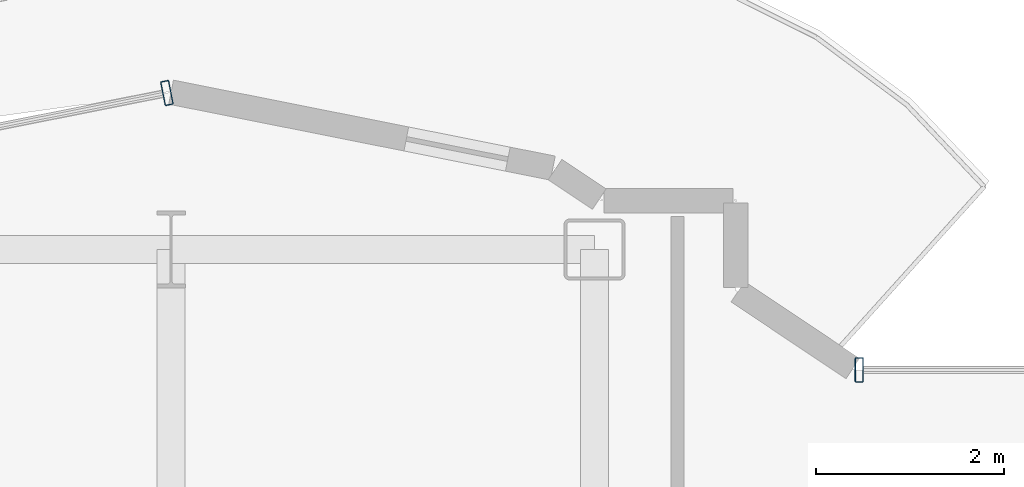
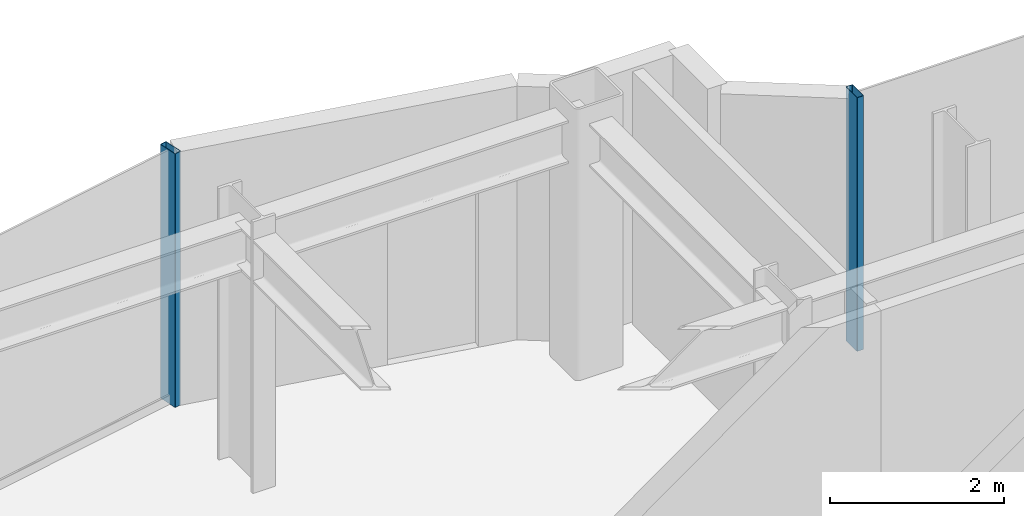
# One storey, part 11 of 22: 2 members, 2 elements without a shape of their own.
"""IFC4 building model written with IfcOpenShell, lengths in metres."""

from ifc_helpers import new_model, si_unit, direction, frame, origin, origin_2d, place, context, subcontext, project, spatial, hollow_rectangle, extrude, source, transform, mapped, material, layer, layer_set, material_profile, profile_set, type_object, element, aggregate, save


model = new_model("IFC4")

# Units and contexts
model_context = context("Model", 3, precision=1e-05, world=origin(), true_north=direction((0.0, 1.0)))
body_context = subcontext(model_context, "Body", "Model", "MODEL_VIEW")
ifc_project = project(units=[si_unit("LENGTHUNIT", "METRE"), si_unit("AREAUNIT", "SQUARE_METRE"), si_unit("VOLUMEUNIT", "CUBIC_METRE"), si_unit("PLANEANGLEUNIT", "RADIAN"), si_unit("MASSUNIT", "GRAM", prefix="KILO")], contexts=[model_context])

# Site, building, storey
site_placement = place(None, origin())
site = spatial("IfcSite", under=ifc_project, at=site_placement, CompositionType="ELEMENT")
building_placement = place(site_placement, origin())
building = spatial("IfcBuilding", under=site, at=building_placement, Name="Nefas-Gora Pilgrimage Tower", CompositionType="ELEMENT")
storey_placement = place(building_placement, frame((0.0, 0.0, 218.0)))
storey = spatial("IfcBuildingStorey", under=building, at=storey_placement, Name="L54", CompositionType="ELEMENT", Elevation=218.0)

# Curtain wall, member
ifc_material_1 = material(Name="Dark ceramic-fritted solar-control aluminium-glass curtain wall", Category="aluminium")
ifc_layer = layer(ifc_material_1, 0.219970703125)
ifc_layer_set = layer_set([ifc_layer], Name="Dark ceramic-fritted solar-control aluminium-glass curtain wall")
curtain_wall_type = type_object("IfcCurtainWallType", Name="CW-SYS-5", PredefinedType="NOTDEFINED", material=ifc_layer_set)
curtain_wall_1_placement = place(storey_placement, origin())
curtain_wall_1 = element("IfcCurtainWall", 1, at=curtain_wall_1_placement, inside=storey, type_object=curtain_wall_type, Name="L54 Unitised Curtain Wall CW5", PredefinedType="NOTDEFINED")
ifc_material_2 = material(Name="Anodised architectural aluminium", Category="aluminium")
ifc_material_profile = material_profile(ifc_material_2, hollow_rectangle(XDim=0.090087890625, YDim=0.260009765625, WallThickness=0.006103515625, InnerFilletRadius=0.006103515625, OuterFilletRadius=0.011962890625, at=origin_2d()), Name="ALU MULLION 90x260")
ifc_profile_set = profile_set([ifc_material_profile], Name="Anodised architectural aluminium")
member_type = type_object("IfcMemberType", Name="CWM-MUL-5", PredefinedType="MULLION", material=ifc_profile_set)
shared_shape = source(origin(), body_context, "Body", "SweptSolid", [
    extrude(hollow_rectangle(XDim=0.090087890625, YDim=0.260009765625, WallThickness=0.006103515625, InnerFilletRadius=0.006103515625, OuterFilletRadius=0.011962890625, at=origin_2d()), origin(), (0.0, 0.0, 1.0), 3.550048828125),
])
member_1_placement = place(storey_placement, frame((5.06298828125, 21.219970703125, 0.0), z_axis=(0.0, 0.0, 1.0), x_axis=(-1.0, 0.0, 0.0)))
member_1 = element("IfcMember", 2, at=member_1_placement, type_object=member_type, Name="CW5 Mullion 2", PredefinedType="MULLION", context=body_context, shape_type="MappedRepresentation", body=[
    mapped(shared_shape, transform((0.0, 0.0, 0.0), x_axis=(1.0, 0.0, 0.0), y_axis=(0.0, 1.0, 0.0), z_axis=(0.0, 0.0, 1.0), scale=1.0)),
])
aggregate(curtain_wall_1, [member_1])

curtain_wall_2_placement = place(storey_placement, origin())
curtain_wall_2 = element("IfcCurtainWall", 3, at=curtain_wall_2_placement, inside=storey, type_object=curtain_wall_type, Name="L54 Unitised Curtain Wall CW5", PredefinedType="NOTDEFINED")
member_2_placement = place(storey_placement, frame((-2.294189453125, 24.16357421875, 0.0), z_axis=(0.0, 0.0, 1.0), x_axis=(-0.980782896852, -0.195102304554, 0.0)))
member_2 = element("IfcMember", 4, at=member_2_placement, type_object=member_type, Name="CW5 Mullion 1", PredefinedType="MULLION", context=body_context, shape_type="MappedRepresentation", body=[
    mapped(shared_shape, transform((0.0, 0.0, 0.0), x_axis=(1.0, 0.0, 0.0), y_axis=(0.0, 1.0, 0.0), z_axis=(0.0, 0.0, 1.0), scale=1.0)),
])
aggregate(curtain_wall_2, [member_2])

save(model, "model.ifc")
